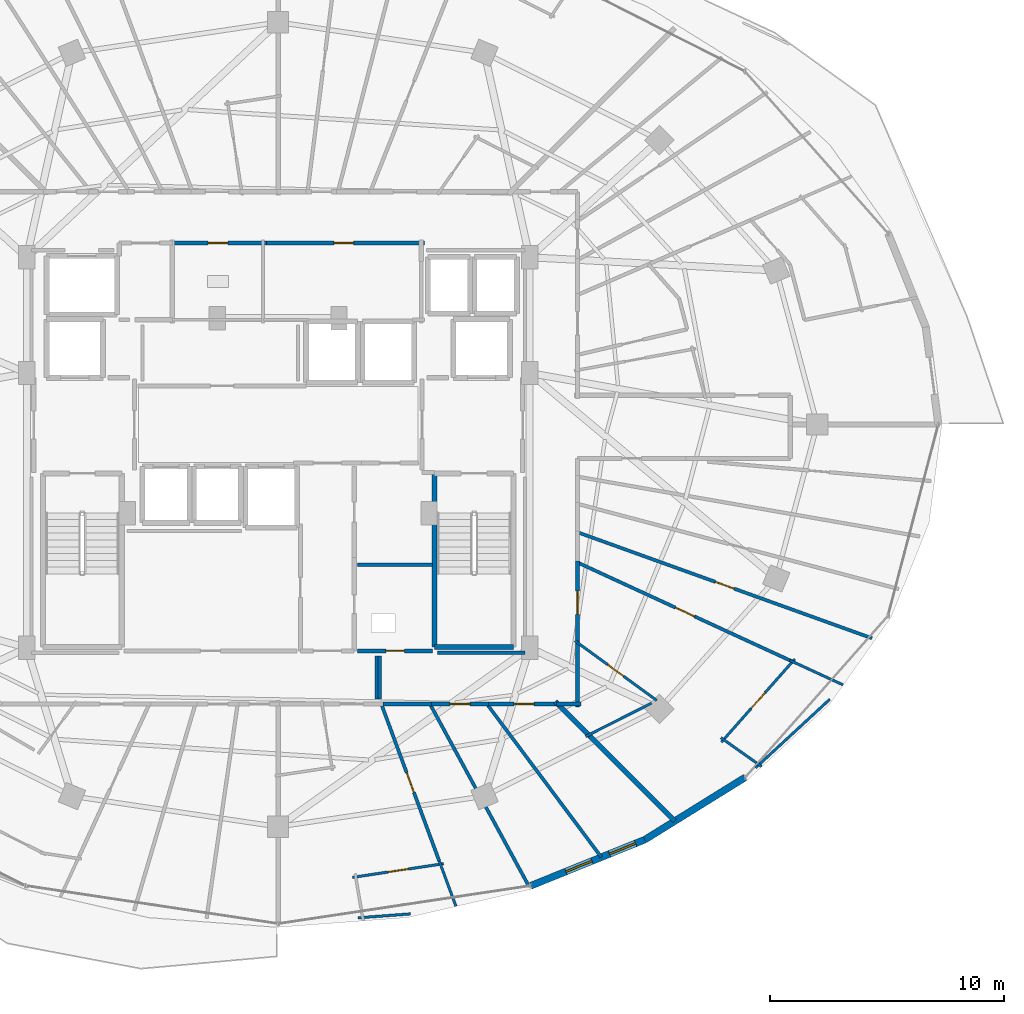
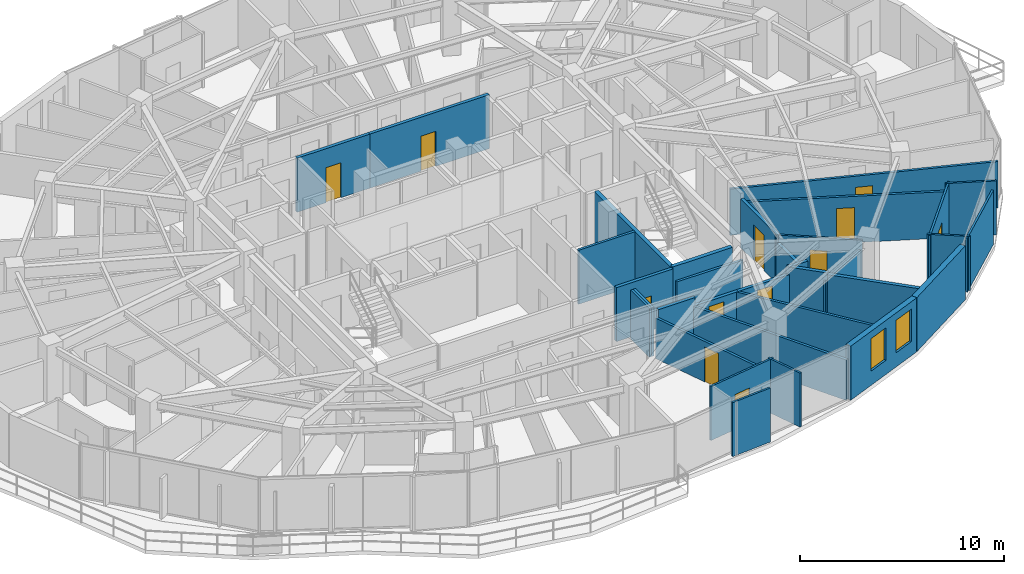
# One storey, part 26 of 33: 33 walls, 12 doors, 2 windows, 14 openings.
"""IFC4 building model written with IfcOpenShell, lengths in metres."""

from ifc_helpers import new_model, si_unit, direction, frame, frame_2d, origin, place, context, subcontext, project, spatial, rectangle, extrude, material, layer, layer_set, type_object, element, fill, save


model = new_model("IFC4")

# Units and contexts
model_context = context("Model", 3, precision=1e-05, world=origin(), true_north=direction((0.0, 1.0)))
body_context = subcontext(model_context, "Body", "Model", "MODEL_VIEW")
ifc_project = project(units=[si_unit("LENGTHUNIT", "METRE"), si_unit("AREAUNIT", "SQUARE_METRE"), si_unit("VOLUMEUNIT", "CUBIC_METRE"), si_unit("PLANEANGLEUNIT", "RADIAN"), si_unit("MASSUNIT", "GRAM", prefix="KILO")], contexts=[model_context])

# Site, building, storey
site_placement = place(None, origin())
site = spatial("IfcSite", under=ifc_project, at=site_placement, CompositionType="ELEMENT")
building_placement = place(site_placement, origin())
building = spatial("IfcBuilding", under=site, at=building_placement, Name="Vorneva Point Tower", CompositionType="ELEMENT")
storey_placement = place(building_placement, frame((0.0, 0.0, 179.10009765625)))
storey = spatial("IfcBuildingStorey", under=building, at=storey_placement, Name="L48", CompositionType="ELEMENT", Elevation=179.10009765625)

# Wall, openings, windows
ifc_material_1 = material(Name="Precast concrete B50 (C40/50)", Category="concrete")
ifc_layer_1 = layer(ifc_material_1, 0.300048828125)
ifc_layer_set_1 = layer_set([ifc_layer_1], Name="Precast concrete B50 (C40/50)")
wall_type_1 = type_object("IfcWallType", Name="WL-EXT-300", PredefinedType="STANDARD", material=ifc_layer_set_1)
wall_1_placement = place(storey_placement, frame((48.80322265625, 6.275146484375, 0.0), z_axis=(0.0, 0.0, 1.0), x_axis=(0.927111094334, 0.374786630981, 0.0)))
wall_1 = element("IfcWall", 1, at=wall_1_placement, inside=storey, type_object=wall_type_1, Name="L48 Pale-Metal Facade Spandrel Wall 14.1", PredefinedType="STANDARD", context=body_context, shape_type="SweptSolid", body=[
    extrude(rectangle(XDim=5.26416015625, YDim=0.300048828125, at=frame_2d((2.632080078125, 0.0))), origin(), (0.0, 0.0, 1.0), 3.239990234375),
])
opening_1_placement = place(wall_1_placement, frame((1.6181640625, 0.0, 0.85009765625)))
opening_1 = element("IfcOpeningElement", 2, at=opening_1_placement, cuts=wall_1, Name="Opening W-04", PredefinedType="OPENING", context=body_context, shape_type="SweptSolid", body=[
    extrude(rectangle(XDim=1.199951171875, YDim=1.949951171875, at=frame_2d((0.60009765625, 0.97509765625))), frame((0.0, 0.1650390625, 0.0), z_axis=(0.0, -1.0, 0.0), x_axis=(1.0, 0.0, 0.0)), (0.0, 0.0, 1.0), 0.329833984375),
])
opening_2_placement = place(wall_1_placement, frame((3.62841796875, 0.0, 0.85009765625)))
opening_2 = element("IfcOpeningElement", 3, at=opening_2_placement, cuts=wall_1, Name="Opening W-04", PredefinedType="OPENING", context=body_context, shape_type="SweptSolid", body=[
    extrude(rectangle(XDim=1.199951171875, YDim=1.949951171875, at=frame_2d((0.60009765625, 0.97509765625))), frame((0.0, 0.1650390625, 0.0), z_axis=(0.0, -1.0, 0.0), x_axis=(1.0, 0.0, 0.0)), (0.0, 0.0, 1.0), 0.329833984375),
])
ifc_material_2 = material(Name="Double low-e laminated glass IGU", Category="glass")
window_type = type_object("IfcWindowType", Name="WN-RES-1200", PartitioningType="SINGLE_PANEL", PredefinedType="WINDOW", material=ifc_material_2)
window_1_placement = place(opening_1_placement, origin())
window_1 = element("IfcWindow", 4, at=window_1_placement, inside=storey, type_object=window_type, Name="L48 Dwelling Vision Window 04", OverallHeight=1.949951171875, OverallWidth=1.199951171875, PartitioningType="SINGLE_PANEL", PredefinedType="WINDOW", context=body_context, shape_type="SweptSolid", body=[
    extrude(rectangle(XDim=1.199951171875, YDim=1.949951171875, at=frame_2d((0.60009765625, 0.97509765625))), frame((0.0, 0.030029296875, 0.0), z_axis=(0.0, -1.0, 0.0), x_axis=(1.0, 0.0, 0.0)), (0.0, 0.0, 1.0), 0.06005859375),
])
fill(opening_1, window_1)
window_2_placement = place(opening_2_placement, origin())
window_2 = element("IfcWindow", 5, at=window_2_placement, inside=storey, type_object=window_type, Name="L48 Dwelling Vision Window 05", OverallHeight=1.949951171875, OverallWidth=1.199951171875, PartitioningType="SINGLE_PANEL", PredefinedType="WINDOW", context=body_context, shape_type="SweptSolid", body=[
    extrude(rectangle(XDim=1.199951171875, YDim=1.949951171875, at=frame_2d((0.60009765625, 0.97509765625))), frame((0.0, 0.030029296875, 0.0), z_axis=(0.0, -1.0, 0.0), x_axis=(1.0, 0.0, 0.0)), (0.0, 0.0, 1.0), 0.06005859375),
])
fill(opening_2, window_2)

# Wall
wall_2_placement = place(storey_placement, frame((53.68359375, 8.248046875, 0.0), z_axis=(0.0, 0.0, 1.0), x_axis=(0.849647657754, 0.527350791858, 0.0)))
element("IfcWall", 6, at=wall_2_placement, inside=storey, type_object=wall_type_1, Name="L48 Pale-Metal Facade Spandrel Wall 14.2", PredefinedType="STANDARD", context=body_context, shape_type="SweptSolid", body=[
    extrude(rectangle(XDim=5.03515625, YDim=0.300048828125, at=frame_2d((2.517578125, 0.0))), origin(), (0.0, 0.0, 1.0), 3.239990234375),
])

# Wall, opening, door
ifc_material_3 = material(Name="Fire-rated acoustic gypsum stud partition", Category="gypsum")
ifc_layer_2 = layer(ifc_material_3, 0.110107421875)
ifc_layer_set_2 = layer_set([ifc_layer_2], Name="Fire-rated acoustic gypsum stud partition")
wall_type_2 = type_object("IfcWallType", Name="WL-PART-110", PredefinedType="PARTITIONING", material=ifc_layer_set_2)
wall_3_placement = place(storey_placement, frame((41.175537109375, 6.63330078125, 0.0), z_axis=(0.0, 0.0, 1.0), x_axis=(0.988877230123, 0.148734070555, 0.0)))
wall_3 = element("IfcWall", 7, at=wall_3_placement, inside=storey, type_object=wall_type_2, Name="L48 Interior Partition 170", PredefinedType="PARTITIONING", context=body_context, shape_type="SweptSolid", body=[
    extrude(rectangle(XDim=3.94287109375, YDim=0.110107421875, at=frame_2d((1.971435546875, 0.0))), origin(), (0.0, 0.0, 1.0), 3.239990234375),
])
opening_3_placement = place(wall_3_placement, frame((1.521240234375, 0.0, 0.0)))
opening_3 = element("IfcOpeningElement", 8, at=opening_3_placement, cuts=wall_3, Name="Opening ID-01", PredefinedType="OPENING", context=body_context, shape_type="SweptSolid", body=[
    extrude(rectangle(XDim=0.89990234375, YDim=2.10009765625, at=frame_2d((0.449951171875, 1.050048828125))), frame((0.0, 0.06982421875, 0.0), z_axis=(0.0, -1.0, 0.0), x_axis=(1.0, 0.0, 0.0)), (0.0, 0.0, 1.0), 0.139892578125),
])
ifc_material_4 = material(Name="Engineered oak fire-rated door leaf", Category="wood")
door_type_1 = type_object("IfcDoorType", Name="DR-ROOM-900", OperationType="NOTDEFINED", PredefinedType="DOOR", material=ifc_material_4)
door_1_placement = place(opening_3_placement, origin())
door_1 = element("IfcDoor", 9, at=door_1_placement, inside=storey, type_object=door_type_1, Name="L48 Door Living and Dining Room L48-07 / Kitchen L48-07", OperationType="SINGLE_SWING_RIGHT", OverallHeight=2.10009765625, OverallWidth=0.89990234375, PredefinedType="DOOR", context=body_context, shape_type="SweptSolid", body=[
    extrude(rectangle(XDim=0.89990234375, YDim=2.10009765625, at=frame_2d((0.449951171875, 1.050048828125))), frame((0.0, 0.02490234375, 0.0), z_axis=(0.0, -1.0, 0.0), x_axis=(1.0, 0.0, 0.0)), (0.0, 0.0, 1.0), 0.050048828125),
])
fill(opening_3, door_1)

# Walls
wall_4_placement = place(storey_placement, frame((44.887451171875, 7.330322265625, 0.0), z_axis=(0.0, 0.0, 1.0), x_axis=(0.346337161188, -0.938110105894, 0.0)))
element("IfcWall", 10, at=wall_4_placement, inside=storey, type_object=wall_type_2, Name="L48 Interior Partition 171", PredefinedType="PARTITIONING", context=body_context, shape_type="SweptSolid", body=[
    extrude(rectangle(XDim=2.05908203125, YDim=0.110107421875, at=frame_2d((1.029541015625, 0.0))), origin(), (0.0, 0.0, 1.0), 3.239990234375),
])
wall_5_placement = place(storey_placement, frame((41.411376953125, 4.904541015625, 0.0), z_axis=(0.0, 0.0, 1.0), x_axis=(0.997205784552, 0.074703569226, 0.0)))
element("IfcWall", 11, at=wall_5_placement, inside=storey, type_object=wall_type_2, Name="L48 Interior Partition 172", PredefinedType="PARTITIONING", context=body_context, shape_type="SweptSolid", body=[
    extrude(rectangle(XDim=2.24853515625, YDim=0.110107421875, at=frame_2d((1.124267578125, 0.0))), origin(), (0.0, 0.0, 1.0), 3.239990234375),
])

# Wall, opening, door
wall_6_placement = place(storey_placement, frame((50.68701171875, 16.75244140625, 0.0), z_axis=(0.0, 0.0, 1.0), x_axis=(0.808074646764, -0.589080100883, 0.0)))
wall_6 = element("IfcWall", 12, at=wall_6_placement, inside=storey, type_object=wall_type_2, Name="L48 Interior Partition 178", PredefinedType="PARTITIONING", context=body_context, shape_type="SweptSolid", body=[
    extrude(rectangle(XDim=4.328857421875, YDim=0.110107421875, at=frame_2d((2.16455078125, 0.0))), origin(), (0.0, 0.0, 1.0), 2.8740234375),
])
opening_4_placement = place(wall_6_placement, frame((1.739501953125, 0.0, 0.0)))
opening_4 = element("IfcOpeningElement", 13, at=opening_4_placement, cuts=wall_6, Name="Opening ID-02", PredefinedType="OPENING", context=body_context, shape_type="SweptSolid", body=[
    extrude(rectangle(XDim=0.85009765625, YDim=2.10009765625, at=frame_2d((0.425048828125, 1.050048828125))), frame((0.0, 0.06982421875, 0.0), z_axis=(0.0, -1.0, 0.0), x_axis=(1.0, 0.0, 0.0)), (0.0, 0.0, 1.0), 0.139892578125),
])
door_type_2 = type_object("IfcDoorType", Name="DR-BATH-850", OperationType="NOTDEFINED", PredefinedType="DOOR", material=ifc_material_4)
door_2_placement = place(opening_4_placement, origin())
door_2 = element("IfcDoor", 14, at=door_2_placement, inside=storey, type_object=door_type_2, Name="L48 Door Living and Dining Room L48-08 / Bathroom L48-08", OperationType="SINGLE_SWING_RIGHT", OverallHeight=2.10009765625, OverallWidth=0.85009765625, PredefinedType="DOOR", context=body_context, shape_type="SweptSolid", body=[
    extrude(rectangle(XDim=0.85009765625, YDim=2.10009765625, at=frame_2d((0.425048828125, 1.050048828125))), frame((0.0, 0.02490234375, 0.0), z_axis=(0.0, -1.0, 0.0), x_axis=(1.0, 0.0, 0.0)), (0.0, 0.0, 1.0), 0.050048828125),
])
fill(opening_4, door_2)

# Walls
wall_7_placement = place(storey_placement, frame((53.964111328125, 14.085205078125, 0.0), z_axis=(0.0, 0.0, 1.0), x_axis=(-0.892546166909, -0.450956028828, 0.0)))
element("IfcWall", 15, at=wall_7_placement, inside=storey, type_object=wall_type_2, Name="L48 Interior Partition 179", PredefinedType="PARTITIONING", context=body_context, shape_type="SweptSolid", body=[
    extrude(rectangle(XDim=3.154052734375, YDim=0.110107421875, at=frame_2d((1.5771484375, 0.0))), origin(), (0.0, 0.0, 1.0), 2.431884765625),
])
wall_8_placement = place(storey_placement, frame((58.67236328125, 11.3740234375, 0.0), z_axis=(0.0, 0.0, 1.0), x_axis=(-0.816262906602, 0.577680592807, 0.0)))
element("IfcWall", 16, at=wall_8_placement, inside=storey, type_object=wall_type_2, Name="L48 Interior Partition 180", PredefinedType="PARTITIONING", context=body_context, shape_type="SweptSolid", body=[
    extrude(rectangle(XDim=2.132568359375, YDim=0.110107421875, at=frame_2d((1.06640625, 0.0))), origin(), (0.0, 0.0, 1.0), 3.239990234375),
])

# Wall, opening, door
wall_9_placement = place(storey_placement, frame((56.953369140625, 12.420166015625, 0.0), z_axis=(0.0, 0.0, 1.0), x_axis=(0.662189711464, 0.749336230294, 0.0)))
wall_9 = element("IfcWall", 17, at=wall_9_placement, inside=storey, type_object=wall_type_2, Name="L48 Interior Partition 181", PredefinedType="PARTITIONING", context=body_context, shape_type="SweptSolid", body=[
    extrude(rectangle(XDim=4.731689453125, YDim=0.110107421875, at=frame_2d((2.36572265625, 0.0))), origin(), (0.0, 0.0, 1.0), 3.239990234375),
])
opening_5_placement = place(wall_9_placement, frame((1.916015625, 0.0, 0.0)))
opening_5 = element("IfcOpeningElement", 18, at=opening_5_placement, cuts=wall_9, Name="Opening ID-01", PredefinedType="OPENING", context=body_context, shape_type="SweptSolid", body=[
    extrude(rectangle(XDim=0.89990234375, YDim=2.10009765625, at=frame_2d((0.449951171875, 1.050048828125))), frame((0.0, 0.06982421875, 0.0), z_axis=(0.0, -1.0, 0.0), x_axis=(1.0, 0.0, 0.0)), (0.0, 0.0, 1.0), 0.139892578125),
])
door_3_placement = place(opening_5_placement, origin())
door_3 = element("IfcDoor", 19, at=door_3_placement, inside=storey, type_object=door_type_1, Name="L48 Door Living and Dining Room L48-08 / Kitchen L48-08", OperationType="SINGLE_SWING_LEFT", OverallHeight=2.10009765625, OverallWidth=0.89990234375, PredefinedType="DOOR", context=body_context, shape_type="SweptSolid", body=[
    extrude(rectangle(XDim=0.89990234375, YDim=2.10009765625, at=frame_2d((0.449951171875, 1.050048828125))), frame((0.0, 0.02490234375, 0.0), z_axis=(0.0, -1.0, 0.0), x_axis=(1.0, 0.0, 0.0)), (0.0, 0.0, 1.0), 0.050048828125),
])
fill(opening_5, door_3)

# Walls
wall_10_placement = place(storey_placement, frame((58.41015625, 11.318115234375, 0.0), z_axis=(0.0, 0.0, 1.0), x_axis=(0.734861902375, 0.678216768031, 0.0)))
element("IfcWall", 20, at=wall_10_placement, inside=storey, type_object=wall_type_2, Name="L48 Interior Partition 182", PredefinedType="PARTITIONING", context=body_context, shape_type="SweptSolid", body=[
    extrude(rectangle(XDim=4.322998046875, YDim=0.110107421875, at=frame_2d((2.16162109375, 0.0))), origin(), (0.0, 0.0, 1.0), 3.239990234375),
])
wall_11_placement = place(storey_placement, frame((62.153076171875, 14.865478515625, 0.0), z_axis=(0.0, 0.0, 1.0), x_axis=(-0.908101251341, 0.418750662462, 0.0)))
element("IfcWall", 21, at=wall_11_placement, inside=storey, type_object=wall_type_2, Name="L48 Interior Partition 184", PredefinedType="PARTITIONING", context=body_context, shape_type="SweptSolid", body=[
    extrude(rectangle(XDim=2.517578125, YDim=0.110107421875, at=frame_2d((1.2587890625, 0.0))), origin(), (0.0, 0.0, 1.0), 3.239990234375),
])
ifc_layer_3 = layer(ifc_material_3, 0.139892578125)
ifc_layer_set_3 = layer_set([ifc_layer_3], Name="Fire-rated acoustic gypsum stud partition")
wall_type_3 = type_object("IfcWallType", Name="WL-PART-140", PredefinedType="PARTITIONING", material=ifc_layer_set_3)
wall_12_placement = place(storey_placement, frame((44.60009765625, 20.0, 0.0), z_axis=(0.0, 0.0, 1.0), x_axis=(-1.0, 0.0, 0.0)))
element("IfcWall", 22, at=wall_12_placement, inside=storey, type_object=wall_type_3, Name="L48 Interior Partition 017", PredefinedType="PARTITIONING", context=body_context, shape_type="SweptSolid", body=[
    extrude(rectangle(XDim=3.2001953125, YDim=0.139892578125, at=frame_2d((1.60009765625, 0.0))), origin(), (0.0, 0.0, 1.0), 3.239990234375),
])

# Wall, opening, door
wall_13_placement = place(storey_placement, frame((44.8876953125, 7.330322265625, 0.0), z_axis=(0.0, 0.0, 1.0), x_axis=(-0.346082862485, 0.938203950266, 0.0)))
wall_13 = element("IfcWall", 23, at=wall_13_placement, inside=storey, type_object=wall_type_3, Name="L48 Interior Partition 173", PredefinedType="PARTITIONING", context=body_context, shape_type="SweptSolid", body=[
    extrude(rectangle(XDim=7.162353515625, YDim=0.139892578125, at=frame_2d((3.5810546875, 0.0))), origin(), (0.0, 0.0, 1.0), 2.431884765625),
])
opening_6_placement = place(wall_13_placement, frame((3.131103515625, 0.0, 0.0)))
opening_6 = element("IfcOpeningElement", 24, at=opening_6_placement, cuts=wall_13, Name="Opening ID-01", PredefinedType="OPENING", context=body_context, shape_type="SweptSolid", body=[
    extrude(rectangle(XDim=0.89990234375, YDim=2.10009765625, at=frame_2d((0.449951171875, 1.050048828125))), frame((0.0, 0.0849609375, 0.0), z_axis=(0.0, -1.0, 0.0), x_axis=(1.0, 0.0, 0.0)), (0.0, 0.0, 1.0), 0.169677734375),
])
door_4_placement = place(opening_6_placement, origin())
door_4 = element("IfcDoor", 25, at=door_4_placement, inside=storey, type_object=door_type_1, Name="L48 Door Living and Dining Room L48-07 / Master Bedroom L48-07.1", OperationType="SINGLE_SWING_LEFT", OverallHeight=2.10009765625, OverallWidth=0.89990234375, PredefinedType="DOOR", context=body_context, shape_type="SweptSolid", body=[
    extrude(rectangle(XDim=0.89990234375, YDim=2.10009765625, at=frame_2d((0.449951171875, 1.050048828125))), frame((0.0, 0.02490234375, 0.0), z_axis=(0.0, -1.0, 0.0), x_axis=(1.0, 0.0, 0.0)), (0.0, 0.0, 1.0), 0.050048828125),
])
fill(opening_6, door_4)

# Walls
wall_14_placement = place(storey_placement, frame((48.718994140625, 6.258056640625, 0.0), z_axis=(0.0, 0.0, 1.0), x_axis=(-0.477180576465, 0.878805267078, 0.0)))
element("IfcWall", 26, at=wall_14_placement, inside=storey, type_object=wall_type_3, Name="L48 Interior Partition 174", PredefinedType="PARTITIONING", context=body_context, shape_type="SweptSolid", body=[
    extrude(rectangle(XDim=8.866455078125, YDim=0.139892578125, at=frame_2d((4.43310546875, 0.0))), origin(), (0.0, 0.0, 1.0), 2.431884765625),
])
wall_15_placement = place(storey_placement, frame((51.818115234375, 7.49609375, 0.0), z_axis=(0.0, 0.0, 1.0), x_axis=(-0.598399090147, 0.801198183292, 0.0)))
element("IfcWall", 27, at=wall_15_placement, inside=storey, type_object=wall_type_3, Name="L48 Interior Partition 175", PredefinedType="PARTITIONING", context=body_context, shape_type="SweptSolid", body=[
    extrude(rectangle(XDim=8.18017578125, YDim=0.139892578125, at=frame_2d((4.090087890625, 0.0))), origin(), (0.0, 0.0, 1.0), 2.431884765625),
])

# Wall, opening, door
wall_16_placement = place(storey_placement, frame((59.993896484375, 15.861083984375, 0.0), z_axis=(0.0, 0.0, 1.0), x_axis=(-0.908157621609, 0.41862839645, 0.0)))
wall_16 = element("IfcWall", 28, at=wall_16_placement, inside=storey, type_object=wall_type_3, Name="L48 Interior Partition 183", PredefinedType="PARTITIONING", context=body_context, shape_type="SweptSolid", body=[
    extrude(rectangle(XDim=10.12353515625, YDim=0.139892578125, at=frame_2d((5.061767578125, 0.0))), origin(), (0.0, 0.0, 1.0), 2.77392578125),
])
opening_7_placement = place(wall_16_placement, frame((4.61181640625, 0.0, 0.0)))
opening_7 = element("IfcOpeningElement", 29, at=opening_7_placement, cuts=wall_16, Name="Opening ID-01", PredefinedType="OPENING", context=body_context, shape_type="SweptSolid", body=[
    extrude(rectangle(XDim=0.89990234375, YDim=2.10009765625, at=frame_2d((0.449951171875, 1.050048828125))), frame((0.0, 0.0849609375, 0.0), z_axis=(0.0, -1.0, 0.0), x_axis=(1.0, 0.0, 0.0)), (0.0, 0.0, 1.0), 0.169677734375),
])
door_5_placement = place(opening_7_placement, origin())
door_5 = element("IfcDoor", 30, at=door_5_placement, inside=storey, type_object=door_type_1, Name="L48 Door Living and Dining Room L48-08 / Master Bedroom L48-08.1", OperationType="SINGLE_SWING_RIGHT", OverallHeight=2.10009765625, OverallWidth=0.89990234375, PredefinedType="DOOR", context=body_context, shape_type="SweptSolid", body=[
    extrude(rectangle(XDim=0.89990234375, YDim=2.10009765625, at=frame_2d((0.449951171875, 1.050048828125))), frame((0.0, 0.02490234375, 0.0), z_axis=(0.0, -1.0, 0.0), x_axis=(1.0, 0.0, 0.0)), (0.0, 0.0, 1.0), 0.050048828125),
])
fill(opening_7, door_5)

wall_17_placement = place(storey_placement, frame((63.39111328125, 16.85888671875, 0.0), z_axis=(0.0, 0.0, 1.0), x_axis=(-0.940877411069, 0.338747246985, 0.0)))
wall_17 = element("IfcWall", 31, at=wall_17_placement, inside=storey, type_object=wall_type_3, Name="L48 Interior Partition 185", PredefinedType="PARTITIONING", context=body_context, shape_type="SweptSolid", body=[
    extrude(rectangle(XDim=13.38232421875, YDim=0.139892578125, at=frame_2d((6.691162109375, 0.0))), origin(), (0.0, 0.0, 1.0), 2.77392578125),
])
opening_8_placement = place(wall_17_placement, frame((6.26611328125, 0.0, 0.0)))
opening_8 = element("IfcOpeningElement", 32, at=opening_8_placement, cuts=wall_17, Name="Opening ID-02", PredefinedType="OPENING", context=body_context, shape_type="SweptSolid", body=[
    extrude(rectangle(XDim=0.85009765625, YDim=2.10009765625, at=frame_2d((0.425048828125, 1.050048828125))), frame((0.0, 0.0849609375, 0.0), z_axis=(0.0, -1.0, 0.0), x_axis=(1.0, 0.0, 0.0)), (0.0, 0.0, 1.0), 0.169677734375),
])
door_6_placement = place(opening_8_placement, origin())
door_6 = element("IfcDoor", 33, at=door_6_placement, inside=storey, type_object=door_type_2, Name="L48 Access Door Master Bedroom L48-08.1", OperationType="SINGLE_SWING_LEFT", OverallHeight=2.10009765625, OverallWidth=0.85009765625, PredefinedType="DOOR", context=body_context, shape_type="SweptSolid", body=[
    extrude(rectangle(XDim=0.85009765625, YDim=2.10009765625, at=frame_2d((0.425048828125, 1.050048828125))), frame((0.0, 0.02490234375, 0.0), z_axis=(0.0, -1.0, 0.0), x_axis=(1.0, 0.0, 0.0)), (0.0, 0.0, 1.0), 0.050048828125),
])
fill(opening_8, door_6)

# Walls
wall_18_placement = place(storey_placement, frame((44.804931640625, 16.239990234375, 0.0), z_axis=(0.0, 0.0, 1.0), x_axis=(1.0, 0.0, 0.0)))
element("IfcWall", 34, at=wall_18_placement, inside=storey, type_object=wall_type_3, Name="L48 Interior Closure Partition 197", PredefinedType="PARTITIONING", context=body_context, shape_type="SweptSolid", body=[
    extrude(rectangle(XDim=3.7451171875, YDim=0.139892578125, at=frame_2d((1.87255859375, 0.0))), origin(), (0.0, 0.0, 1.0), 2.431884765625),
])
for number, where, z_axis, x_axis, name in (
    (35, (42.199951171875, 16.10009765625, 0.0), (0.0, 0.0, 1.0), (0.0, -1.0, 0.0), "L48 Interior Closure Partition 206"),
    (36, (42.340087890625, 14.27001953125, 0.0), (0.0, 0.0, 1.0), (0.0, 1.0, 0.0), "L48 Interior Closure Partition 207"),
):
    element("IfcWall", number, at=place(storey_placement, frame(where, z_axis=z_axis, x_axis=x_axis)), inside=storey, type_object=wall_type_3, Name=name, PredefinedType="PARTITIONING", context=body_context, shape_type="SweptSolid", body=[
        extrude(rectangle(XDim=1.830078125, YDim=0.139892578125, at=frame_2d((0.9150390625, 0.0))), origin(), (0.0, 0.0, 1.0), 2.921875),
    ])

# Wall, opening, door
ifc_material_5 = material(Name="Autoclaved aerated concrete blockwork", Category="masonry")
ifc_layer_4 = layer(ifc_material_5, 0.179931640625)
ifc_layer_set_4 = layer_set([ifc_layer_4], Name="Autoclaved aerated concrete blockwork")
wall_type_4 = type_object("IfcWallType", Name="WL-PART-180", PredefinedType="PARTITIONING", material=ifc_layer_set_4)
wall_19_placement = place(storey_placement, frame((41.39990234375, 16.320068359375, 0.0), z_axis=(0.0, 0.0, 1.0), x_axis=(1.0, 0.0, 0.0)))
wall_19 = element("IfcWall", 37, at=wall_19_placement, inside=storey, type_object=wall_type_4, Name="L48 Interior Partition 018", PredefinedType="PARTITIONING", context=body_context, shape_type="SweptSolid", body=[
    extrude(rectangle(XDim=3.2001953125, YDim=0.179931640625, at=frame_2d((1.60009765625, 0.0))), origin(), (0.0, 0.0, 1.0), 3.239990234375),
])
opening_9_placement = place(wall_19_placement, frame((1.199951171875, 0.0, 0.0)))
opening_9 = element("IfcOpeningElement", 38, at=opening_9_placement, cuts=wall_19, Name="Opening RD-01", PredefinedType="OPENING", context=body_context, shape_type="SweptSolid", body=[
    extrude(rectangle(XDim=0.800048828125, YDim=2.050048828125, at=frame_2d((0.39990234375, 1.02490234375))), frame((0.0, 0.10498046875, 0.0), z_axis=(0.0, -1.0, 0.0), x_axis=(1.0, 0.0, 0.0)), (0.0, 0.0, 1.0), 0.209716796875),
])
ifc_material_6 = material(Name="Fire-rated powder-coated steel", Category="steel")
door_type_3 = type_object("IfcDoorType", Name="DR-RSR-800", OperationType="SINGLE_SWING_LEFT", PredefinedType="DOOR", material=ifc_material_6)
door_7_placement = place(opening_9_placement, origin())
door_7 = element("IfcDoor", 39, at=door_7_placement, inside=storey, type_object=door_type_3, Name="L48 Door Electrical Riser / L48 Circulation Corridor", OperationType="SINGLE_SWING_LEFT", OverallHeight=2.050048828125, OverallWidth=0.800048828125, PredefinedType="DOOR", context=body_context, shape_type="SweptSolid", body=[
    extrude(rectangle(XDim=0.800048828125, YDim=2.050048828125, at=frame_2d((0.39990234375, 1.02490234375))), frame((0.0, 0.02490234375, 0.0), z_axis=(0.0, -1.0, 0.0), x_axis=(1.0, 0.0, 0.0)), (0.0, 0.0, 1.0), 0.050048828125),
])
fill(opening_9, door_7)

wall_20_placement = place(storey_placement, frame((37.489990234375, 33.760009765625, 0.0), z_axis=(0.0, 0.0, 1.0), x_axis=(-1.0, 0.0, 0.0)))
wall_20 = element("IfcWall", 40, at=wall_20_placement, inside=storey, type_object=wall_type_4, Name="L48 Interior Partition 021", PredefinedType="PARTITIONING", context=body_context, shape_type="SweptSolid", body=[
    extrude(rectangle(XDim=4.1298828125, YDim=0.179931640625, at=frame_2d((2.06494140625, 0.0))), origin(), (0.0, 0.0, 1.0), 3.239990234375),
])
opening_10_placement = place(wall_20_placement, frame((1.639892578125, 0.0, 0.0)))
opening_10 = element("IfcOpeningElement", 41, at=opening_10_placement, cuts=wall_20, Name="Opening ID-02", PredefinedType="OPENING", context=body_context, shape_type="SweptSolid", body=[
    extrude(rectangle(XDim=0.85009765625, YDim=2.10009765625, at=frame_2d((0.425048828125, 1.050048828125))), frame((0.0, 0.10498046875, 0.0), z_axis=(0.0, -1.0, 0.0), x_axis=(1.0, 0.0, 0.0)), (0.0, 0.0, 1.0), 0.209716796875),
])
door_8_placement = place(opening_10_placement, origin())
door_8 = element("IfcDoor", 42, at=door_8_placement, inside=storey, type_object=door_type_2, Name="L48 Door Accessible WC / L48 Circulation Corridor", OperationType="SINGLE_SWING_RIGHT", OverallHeight=2.10009765625, OverallWidth=0.85009765625, PredefinedType="DOOR", context=body_context, shape_type="SweptSolid", body=[
    extrude(rectangle(XDim=0.85009765625, YDim=2.10009765625, at=frame_2d((0.425048828125, 1.050048828125))), frame((0.0, 0.02490234375, 0.0), z_axis=(0.0, -1.0, 0.0), x_axis=(1.0, 0.0, 0.0)), (0.0, 0.0, 1.0), 0.050048828125),
])
fill(opening_10, door_8)

wall_21_placement = place(storey_placement, frame((44.260009765625, 33.760009765625, 0.0), z_axis=(0.0, 0.0, 1.0), x_axis=(-1.0, 0.0, 0.0)))
wall_21 = element("IfcWall", 43, at=wall_21_placement, inside=storey, type_object=wall_type_4, Name="L48 Interior Partition 023", PredefinedType="PARTITIONING", context=body_context, shape_type="SweptSolid", body=[
    extrude(rectangle(XDim=6.909912109375, YDim=0.179931640625, at=frame_2d((3.455078125, 0.0))), origin(), (0.0, 0.0, 1.0), 3.239990234375),
])
opening_11_placement = place(wall_21_placement, frame((3.030029296875, 0.0, 0.0)))
opening_11 = element("IfcOpeningElement", 44, at=opening_11_placement, cuts=wall_21, Name="Opening ID-02", PredefinedType="OPENING", context=body_context, shape_type="SweptSolid", body=[
    extrude(rectangle(XDim=0.85009765625, YDim=2.10009765625, at=frame_2d((0.425048828125, 1.050048828125))), frame((0.0, 0.10498046875, 0.0), z_axis=(0.0, -1.0, 0.0), x_axis=(1.0, 0.0, 0.0)), (0.0, 0.0, 1.0), 0.209716796875),
])
door_9_placement = place(opening_11_placement, origin())
door_9 = element("IfcDoor", 45, at=door_9_placement, inside=storey, type_object=door_type_2, Name="L48 Door Public Restroom / L48 Circulation Corridor", OperationType="SINGLE_SWING_LEFT", OverallHeight=2.10009765625, OverallWidth=0.85009765625, PredefinedType="DOOR", context=body_context, shape_type="SweptSolid", body=[
    extrude(rectangle(XDim=0.85009765625, YDim=2.10009765625, at=frame_2d((0.425048828125, 1.050048828125))), frame((0.0, 0.02490234375, 0.0), z_axis=(0.0, -1.0, 0.0), x_axis=(1.0, 0.0, 0.0)), (0.0, 0.0, 1.0), 0.050048828125),
])
fill(opening_11, door_9)

# Wall
wall_22_placement = place(storey_placement, frame((42.472900390625, 14.050048828125, 0.0), z_axis=(0.0, 0.0, 1.0), x_axis=(1.0, 0.0, 0.0)))
element("IfcWall", 46, at=wall_22_placement, inside=storey, type_object=wall_type_4, Name="L48 Interior Partition 075", PredefinedType="PARTITIONING", context=body_context, shape_type="SweptSolid", body=[
    extrude(rectangle(XDim=2.0830078125, YDim=0.179931640625, at=frame_2d((1.04150390625, 0.0))), origin(), (0.0, 0.0, 1.0), 2.921875),
])

# Wall, opening, door
wall_23_placement = place(storey_placement, frame((44.555908203125, 14.050048828125, 0.0), z_axis=(0.0, 0.0, 1.0), x_axis=(1.0, 0.0, 0.0)))
wall_23 = element("IfcWall", 47, at=wall_23_placement, inside=storey, type_object=wall_type_4, Name="L48 Interior Partition 076", PredefinedType="PARTITIONING", context=body_context, shape_type="SweptSolid", body=[
    extrude(rectangle(XDim=2.442138671875, YDim=0.179931640625, at=frame_2d((1.22119140625, 0.0))), origin(), (0.0, 0.0, 1.0), 2.431884765625),
])
opening_12_placement = place(wall_23_placement, frame((0.7958984375, 0.0, 0.0)))
opening_12 = element("IfcOpeningElement", 48, at=opening_12_placement, cuts=wall_23, Name="Opening ID-02", PredefinedType="OPENING", context=body_context, shape_type="SweptSolid", body=[
    extrude(rectangle(XDim=0.85009765625, YDim=2.10009765625, at=frame_2d((0.425048828125, 1.050048828125))), frame((0.0, 0.10498046875, 0.0), z_axis=(0.0, -1.0, 0.0), x_axis=(1.0, 0.0, 0.0)), (0.0, 0.0, 1.0), 0.209716796875),
])
door_10_placement = place(opening_12_placement, origin())
door_10 = element("IfcDoor", 49, at=door_10_placement, inside=storey, type_object=door_type_2, Name="L48 Access Door L48 Circulation Corridor", OperationType="SINGLE_SWING_RIGHT", OverallHeight=2.10009765625, OverallWidth=0.85009765625, PredefinedType="DOOR", context=body_context, shape_type="SweptSolid", body=[
    extrude(rectangle(XDim=0.85009765625, YDim=2.10009765625, at=frame_2d((0.425048828125, 1.050048828125))), frame((0.0, 0.02490234375, 0.0), z_axis=(0.0, -1.0, 0.0), x_axis=(1.0, 0.0, 0.0)), (0.0, 0.0, 1.0), 0.050048828125),
])
fill(opening_12, door_10)

wall_24_placement = place(storey_placement, frame((46.998046875, 14.050048828125, 0.0), z_axis=(0.0, 0.0, 1.0), x_axis=(1.0, 0.0, 0.0)))
wall_24 = element("IfcWall", 50, at=wall_24_placement, inside=storey, type_object=wall_type_4, Name="L48 Interior Partition 077", PredefinedType="PARTITIONING", context=body_context, shape_type="SweptSolid", body=[
    extrude(rectangle(XDim=3.036865234375, YDim=0.179931640625, at=frame_2d((1.5185546875, 0.0))), origin(), (0.0, 0.0, 1.0), 2.431884765625),
])
opening_13_placement = place(wall_24_placement, frame((1.093505859375, 0.0, 0.0)))
opening_13 = element("IfcOpeningElement", 51, at=opening_13_placement, cuts=wall_24, Name="Opening ID-02", PredefinedType="OPENING", context=body_context, shape_type="SweptSolid", body=[
    extrude(rectangle(XDim=0.85009765625, YDim=2.10009765625, at=frame_2d((0.425048828125, 1.050048828125))), frame((0.0, 0.10498046875, 0.0), z_axis=(0.0, -1.0, 0.0), x_axis=(1.0, 0.0, 0.0)), (0.0, 0.0, 1.0), 0.209716796875),
])
door_11_placement = place(opening_13_placement, origin())
door_11 = element("IfcDoor", 52, at=door_11_placement, inside=storey, type_object=door_type_2, Name="L48 Access Door L48 Circulation Corridor", OperationType="SINGLE_SWING_LEFT", OverallHeight=2.10009765625, OverallWidth=0.85009765625, PredefinedType="DOOR", context=body_context, shape_type="SweptSolid", body=[
    extrude(rectangle(XDim=0.85009765625, YDim=2.10009765625, at=frame_2d((0.425048828125, 1.050048828125))), frame((0.0, 0.02490234375, 0.0), z_axis=(0.0, -1.0, 0.0), x_axis=(1.0, 0.0, 0.0)), (0.0, 0.0, 1.0), 0.050048828125),
])
fill(opening_13, door_11)

wall_25_placement = place(storey_placement, frame((50.800048828125, 16.595947265625, 0.0), z_axis=(0.0, 0.0, 1.0), x_axis=(0.0, 1.0, 0.0)))
wall_25 = element("IfcWall", 53, at=wall_25_placement, inside=storey, type_object=wall_type_4, Name="L48 Interior Partition 078", PredefinedType="PARTITIONING", context=body_context, shape_type="SweptSolid", body=[
    extrude(rectangle(XDim=3.56298828125, YDim=0.179931640625, at=frame_2d((1.781494140625, 0.0))), origin(), (0.0, 0.0, 1.0), 2.921875),
])
opening_14_placement = place(wall_25_placement, frame((1.281494140625, 0.0, 0.0)))
opening_14 = element("IfcOpeningElement", 54, at=opening_14_placement, cuts=wall_25, Name="Opening UD-01", PredefinedType="OPENING", context=body_context, shape_type="SweptSolid", body=[
    extrude(rectangle(XDim=1.0, YDim=2.14990234375, at=frame_2d((0.5, 1.074951171875))), frame((0.0, 0.10498046875, 0.0), z_axis=(0.0, -1.0, 0.0), x_axis=(1.0, 0.0, 0.0)), (0.0, 0.0, 1.0), 0.209716796875),
])
door_type_4 = type_object("IfcDoorType", Name="DR-UNIT-1000", OperationType="NOTDEFINED", PredefinedType="DOOR", material=ifc_material_4)
door_12_placement = place(opening_14_placement, origin())
door_12 = element("IfcDoor", 55, at=door_12_placement, inside=storey, type_object=door_type_4, Name="L48 Door L48 Circulation Corridor / Living and Dining Room L48-08", OperationType="SINGLE_SWING_LEFT", OverallHeight=2.14990234375, OverallWidth=1.0, PredefinedType="DOOR", context=body_context, shape_type="SweptSolid", body=[
    extrude(rectangle(XDim=1.0, YDim=2.14990234375, at=frame_2d((0.5, 1.074951171875))), frame((0.0, 0.02490234375, 0.0), z_axis=(0.0, -1.0, 0.0), x_axis=(1.0, 0.0, 0.0)), (0.0, 0.0, 1.0), 0.050048828125),
])
fill(opening_14, door_12)

# Walls
wall_26_placement = place(storey_placement, frame((49.89501953125, 14.050048828125, 0.0), z_axis=(0.0, 0.0, 1.0), x_axis=(1.0, 0.0, 0.0)))
element("IfcWall", 56, at=wall_26_placement, inside=storey, type_object=wall_type_4, Name="L48 Interior Partition 079", PredefinedType="PARTITIONING", context=body_context, shape_type="SweptSolid", body=[
    extrude(rectangle(XDim=1.044921875, YDim=0.179931640625, at=frame_2d((0.5224609375, 0.0))), origin(), (0.0, 0.0, 1.0), 2.8740234375),
])
wall_27_placement = place(storey_placement, frame((50.800048828125, 13.909912109375, 0.0), z_axis=(0.0, 0.0, 1.0), x_axis=(0.0, 1.0, 0.0)))
element("IfcWall", 57, at=wall_27_placement, inside=storey, type_object=wall_type_4, Name="L48 Interior Partition 080", PredefinedType="PARTITIONING", context=body_context, shape_type="SweptSolid", body=[
    extrude(rectangle(XDim=2.826171875, YDim=0.179931640625, at=frame_2d((1.4130859375, 0.0))), origin(), (0.0, 0.0, 1.0), 2.431884765625),
])
ifc_layer_5 = layer(ifc_material_5, 0.199951171875)
ifc_layer_set_5 = layer_set([ifc_layer_5], Name="Autoclaved aerated concrete blockwork")
wall_type_5 = type_object("IfcWallType", Name="WL-PART-200", PredefinedType="PARTITIONING", material=ifc_layer_set_5)
wall_28_placement = place(storey_placement, frame((54.958984375, 9.041015625, 0.0), z_axis=(0.0, 0.0, 1.0), x_axis=(-0.707106781187, 0.707106781187, 0.0)))
element("IfcWall", 58, at=wall_28_placement, inside=storey, type_object=wall_type_5, Name="L48 Interior Partition 176", PredefinedType="PARTITIONING", context=body_context, shape_type="SweptSolid", body=[
    extrude(rectangle(XDim=5.270751953125, YDim=0.199951171875, at=frame_2d((2.63525390625, 0.0))), origin(), (0.0, 0.0, 1.0), 2.77392578125),
])
wall_29_placement = place(storey_placement, frame((51.3310546875, 12.6689453125, 0.0), z_axis=(0.0, 0.0, 1.0), x_axis=(-0.707106781187, 0.707106781187, 0.0)))
element("IfcWall", 59, at=wall_29_placement, inside=storey, type_object=wall_type_5, Name="L48 Interior Partition 177", PredefinedType="PARTITIONING", context=body_context, shape_type="SweptSolid", body=[
    extrude(rectangle(XDim=2.093017578125, YDim=0.199951171875, at=frame_2d((1.04638671875, 0.0))), origin(), (0.0, 0.0, 1.0), 2.8740234375),
])
ifc_material_7 = material(Name="Concrete B50 (C40/50)", Category="concrete")
ifc_layer_6 = layer(ifc_material_7, 0.219970703125)
ifc_layer_set_6 = layer_set([ifc_layer_6], Name="Concrete B50 (C40/50)")
wall_type_6 = type_object("IfcWallType", Name="WL-SHFT-220", PredefinedType="SOLIDWALL", material=ifc_layer_set_6)
wall_30_placement = place(storey_placement, frame((48.06005859375, 16.489990234375, 0.0), z_axis=(0.0, 0.0, 1.0), x_axis=(-1.0, 0.0, 0.0)))
element("IfcWall", 60, at=wall_30_placement, inside=storey, type_object=wall_type_6, Name="L48 Exit Stair ST2 Shaft Wall far", PredefinedType="SOLIDWALL", context=body_context, shape_type="SweptSolid", body=[
    extrude(rectangle(XDim=3.3701171875, YDim=0.219970703125, at=frame_2d((1.68505859375, 0.0))), origin(), (0.0, 0.0, 1.0), 3.239990234375),
])
wall_31_placement = place(storey_placement, frame((44.68994140625, 16.489990234375, 0.0), z_axis=(0.0, 0.0, 1.0), x_axis=(0.0, 1.0, 0.0)))
element("IfcWall", 61, at=wall_31_placement, inside=storey, type_object=wall_type_6, Name="L48 Exit Stair ST2 Shaft Wall left", PredefinedType="SOLIDWALL", context=body_context, shape_type="SweptSolid", body=[
    extrude(rectangle(XDim=7.419921875, YDim=0.219970703125, at=frame_2d((3.7099609375, 0.0))), origin(), (0.0, 0.0, 1.0), 3.239990234375),
])

save(model, "model.ifc")
